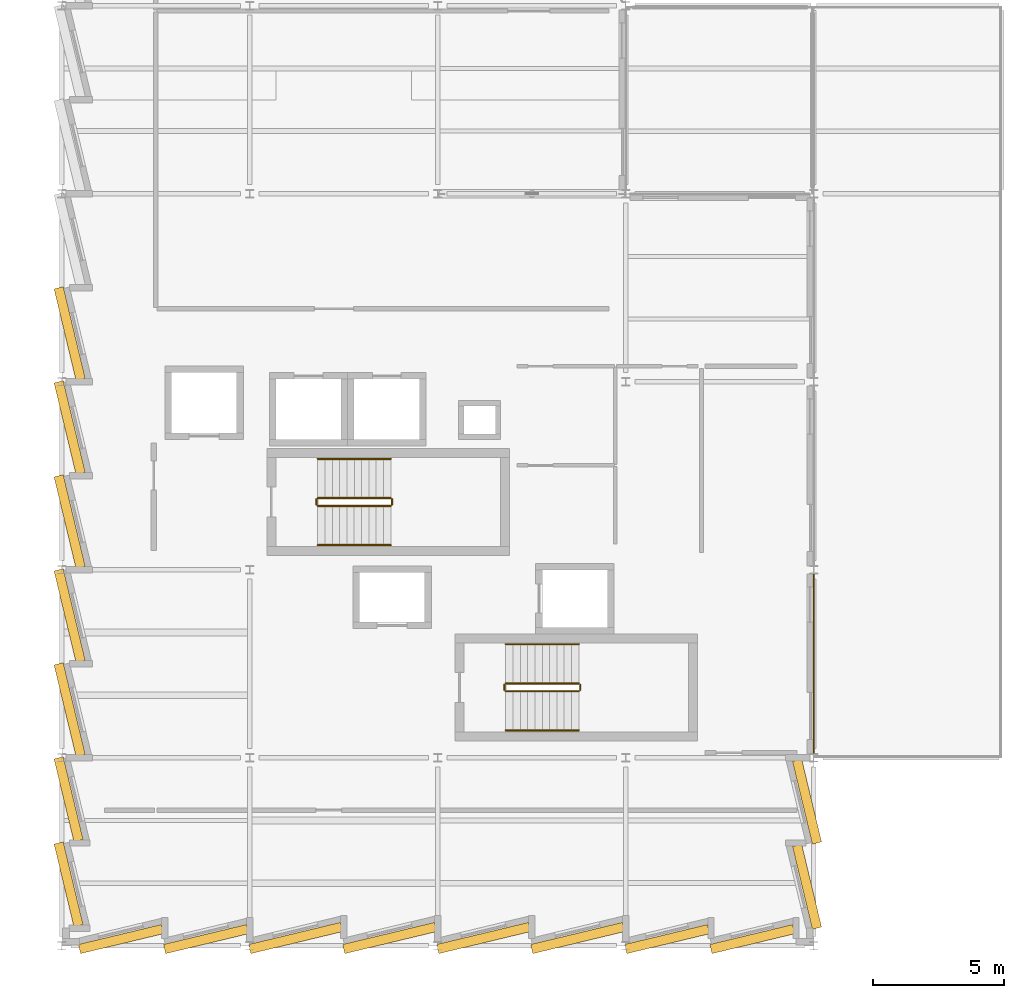
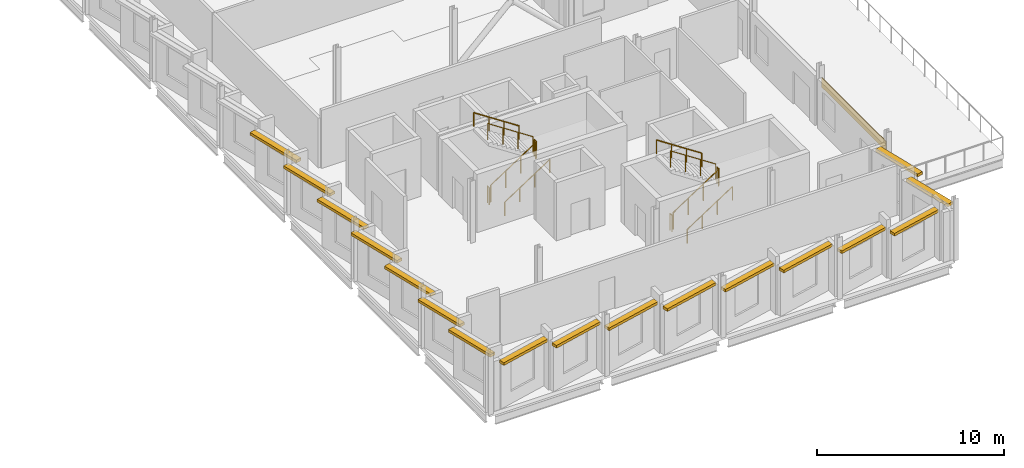
# One storey, part 17 of 18: 17 shading devices, 12 railings, 1 covering.
"""IFC4 building model written with IfcOpenShell, lengths in metres."""

import ifcopenshell
import ifcopenshell.guid

model = None  # the IFC model being written
_history = None  # IfcOwnerHistory: only IFC2X3 demands one
_inside = {}  # id of a spatial element -> (the spatial element, [elements in it])
_under = {}  # id of a project, library or spatial element -> (it, [spatial elements below it])
_declared = {}  # id of a project -> (the project, [libraries it declares])
_typed = {}  # id of a type object -> (the type object, [elements of that type])
_made_of = {}  # id of a material, layer set ... -> (it, [elements and type objects made of it])


def new_model(schema):
    """Start an empty IFC model of exactly this schema.

    Asked for "IFC4X3", IfcOpenShell would pick the latest addendum, in which some entities
    have other attributes; the version numbers below select the first issue.
    IFC2X3 requires an IfcOwnerHistory on every rooted entity: one is made here for all.
    """
    global model, _history
    if schema == "IFC4X3":
        model = ifcopenshell.file(schema_version=(4, 3, 0, 0))
    else:
        model = ifcopenshell.file(schema=schema)
    _inside.clear()
    _under.clear()
    _declared.clear()
    _typed.clear()
    _made_of.clear()
    _history = None
    if model.schema == "IFC2X3":
        org = make("IfcOrganization", Name="unknown")
        user = make(
            "IfcPersonAndOrganization",
            ThePerson=make("IfcPerson", FamilyName="unknown"),
            TheOrganization=org,
        )
        app = make(
            "IfcApplication",
            ApplicationDeveloper=org,
            Version="unknown",
            ApplicationFullName="unknown",
            ApplicationIdentifier="unknown",
        )
        _history = make(
            "IfcOwnerHistory",
            OwningUser=user,
            OwningApplication=app,
            ChangeAction="ADDED",
            CreationDate=0,
        )
    return model


def make(cls, **values):
    """One entity of the class cls with the attributes given. An attribute that is None is left unset."""
    return model.create_entity(
        cls, **{name: value for name, value in values.items() if value is not None}
    )


def rooted(cls, **values):
    """An entity with a GlobalId (a new one), such as an element, a storey or a relation."""
    return make(cls, GlobalId=ifcopenshell.guid.new(), OwnerHistory=_history, **values)


def si_unit(unit_type, name, prefix=None):
    """IfcSIUnit, for example si_unit("LENGTHUNIT", "METRE", prefix="MILLI")."""
    return make("IfcSIUnit", UnitType=unit_type, Prefix=prefix, Name=name)


def assignment(units):
    """IfcUnitAssignment: the units of a project."""
    return None if units is None else make("IfcUnitAssignment", Units=units)


def point(xyz):
    """IfcCartesianPoint."""
    return None if xyz is None else make("IfcCartesianPoint", Coordinates=xyz)


def direction(xyz):
    """IfcDirection."""
    return None if xyz is None else make("IfcDirection", DirectionRatios=xyz)


def frame(location, z_axis=None, x_axis=None):
    """IfcAxis2Placement3D, a coordinate frame: its origin and axes. An axis left out is left unset."""
    return make(
        "IfcAxis2Placement3D",
        Location=point(location),
        Axis=direction(z_axis),
        RefDirection=direction(x_axis),
    )


def frame_2d(location, x_axis=None):
    """IfcAxis2Placement2D, a coordinate frame in the plane: its origin and x axis."""
    return make(
        "IfcAxis2Placement2D", Location=point(location), RefDirection=direction(x_axis)
    )


def origin():
    """The frame at (0, 0, 0) with its axes left unset."""
    return frame((0.0, 0.0, 0.0))


def origin_2d():
    """The frame at (0, 0) in the plane with its x axis left unset."""
    return frame_2d((0.0, 0.0))


def place(relative_to, where):
    """IfcLocalPlacement: puts the frame where relative to a parent placement (None: the world)."""
    return make(
        "IfcLocalPlacement", PlacementRelTo=relative_to, RelativePlacement=where
    )


def context(
    kind, dimensions, precision=None, world=None, true_north=None, identifier=None
):
    """IfcGeometricRepresentationContext, for example the 3D "Model" context."""
    return make(
        "IfcGeometricRepresentationContext",
        ContextIdentifier=identifier,
        ContextType=kind,
        CoordinateSpaceDimension=dimensions,
        Precision=precision,
        WorldCoordinateSystem=world,
        TrueNorth=true_north,
    )


def subcontext(parent, identifier, kind, view, scale=None):
    """IfcGeometricRepresentationSubContext, for example "Body" below "Model"."""
    return make(
        "IfcGeometricRepresentationSubContext",
        ContextIdentifier=identifier,
        ContextType=kind,
        ParentContext=parent,
        TargetScale=scale,
        TargetView=view,
    )


def project(units=None, contexts=None):
    """IfcProject with its units and contexts."""
    return rooted(
        "IfcProject",
        Name="project",
        RepresentationContexts=contexts,
        UnitsInContext=assignment(units),
    )


def spatial(cls, under=None, at=None, **own):
    """A site, building, storey or space (cls), placed at a placement, below another one or the project."""
    s = rooted(cls, ObjectPlacement=at, **own)
    if under is not None:
        _under.setdefault(under.id(), (under, []))[1].append(s)
    return s


def profile(cls, at=None, kind="AREA", **sizes):
    """A parametric profile (cls). Its sizes go by their IFC names, for example OverallWidth=200.0."""
    return make(cls, ProfileType=kind, Position=at, **sizes)


def rectangle(**sizes):
    """IfcRectangleProfileDef."""
    return profile("IfcRectangleProfileDef", **sizes)


def circle(**sizes):
    """IfcCircleProfileDef."""
    return profile("IfcCircleProfileDef", **sizes)


def extrude(swept, where, along, depth):
    """IfcExtrudedAreaSolid: the profile swept, set in the frame where, extruded along a direction by depth."""
    return make(
        "IfcExtrudedAreaSolid",
        SweptArea=swept,
        Position=where,
        ExtrudedDirection=direction(along),
        Depth=depth,
    )


def shape(context_of_items, identifier, shape_type, items):
    """IfcShapeRepresentation: the items that make up one representation, for example the "Body"."""
    return make(
        "IfcShapeRepresentation",
        ContextOfItems=context_of_items,
        RepresentationIdentifier=identifier,
        RepresentationType=shape_type,
        Items=items,
    )


def material(Name=None, Category=None):
    """IfcMaterial."""
    return make("IfcMaterial", Name=Name, Category=Category)


def layer(
    of_material, thickness, ventilated=None, Name=None, Category=None, Priority=None
):
    """IfcMaterialLayer: one layer of a wall or slab, of a material (None: an air gap)."""
    return make(
        "IfcMaterialLayer",
        Material=of_material,
        LayerThickness=thickness,
        IsVentilated=ventilated,
        Name=Name,
        Category=Category,
        Priority=Priority,
    )


def layer_set(layers, Name=None):
    """IfcMaterialLayerSet."""
    return make("IfcMaterialLayerSet", MaterialLayers=layers, LayerSetName=Name)


def made_of(thing, what):
    """Note that an element or type object is made of a material, layer set ...; save() writes the relation."""
    if what is not None:
        _made_of.setdefault(what.id(), (what, []))[1].append(thing)
    return thing


def type_object(cls, material=None, **own):
    """A type object (cls), such as IfcWallType, which elements share."""
    return made_of(rooted(cls, **own), material)


def element(
    cls,
    number,
    at=None,
    inside=None,
    cuts=None,
    type_object=None,
    material=None,
    context=None,
    identifier="Body",
    shape_type=None,
    held_by="IfcProductDefinitionShape",
    body=None,
    shapes=None,
    **own,
):
    """One element of the class cls, such as IfcWall. Its Tag is "e" and its number.

    at: its placement. inside: the storey or other place that contains it. cuts: it is an
    opening in that element (IfcRelVoidsElement). A single representation is given by context,
    identifier, shape_type and body (its items); several are given by shapes. held_by: the class
    of the entity that holds the representations. save() writes the other relations.
    """
    e = rooted(cls, Tag="e%d" % number, ObjectPlacement=at, **own)
    if body is not None:
        shapes = [shape(context, identifier, shape_type, body)]
    if shapes is not None:
        e.Representation = make(held_by, Representations=shapes)
    if inside is not None:
        _inside.setdefault(inside.id(), (inside, []))[1].append(e)
    if cuts is not None:
        rooted(
            "IfcRelVoidsElement", RelatingBuildingElement=cuts, RelatedOpeningElement=e
        )
    if type_object is not None:
        _typed.setdefault(type_object.id(), (type_object, []))[1].append(e)
    return made_of(e, material)


def aggregate(whole, parts):
    """IfcRelAggregates: a whole, such as a stair, and the parts it consists of."""
    return rooted("IfcRelAggregates", RelatingObject=whole, RelatedObjects=parts)


def save(model, path):
    """Write the relations noted so far, then the file.

    IfcRelAggregates (storeys below a building ...), IfcRelContainedInSpatialStructure (elements
    in a storey), IfcRelDefinesByType, IfcRelAssociatesMaterial and IfcRelDeclares: one each for
    every whole, place, type object, material and project.
    """
    for whole, parts in _under.values():
        aggregate(whole, parts)
    for where, things in _inside.values():
        rooted(
            "IfcRelContainedInSpatialStructure",
            RelatedElements=things,
            RelatingStructure=where,
        )
    for kind, things in _typed.values():
        rooted("IfcRelDefinesByType", RelatedObjects=things, RelatingType=kind)
    for what, things in _made_of.values():
        rooted("IfcRelAssociatesMaterial", RelatedObjects=things, RelatingMaterial=what)
    for by, libraries in _declared.values():
        rooted("IfcRelDeclares", RelatingContext=by, RelatedDefinitions=libraries)
    model.write(path)


model = new_model("IFC4")

# Units and contexts
model_context = context("Model", 3, precision=1e-05, world=origin(), true_north=direction((0.0, 1.0)))
body_context = subcontext(model_context, "Body", "Model", "MODEL_VIEW")
ifc_project = project(units=[si_unit("LENGTHUNIT", "METRE"), si_unit("AREAUNIT", "SQUARE_METRE"), si_unit("VOLUMEUNIT", "CUBIC_METRE"), si_unit("PLANEANGLEUNIT", "RADIAN"), si_unit("MASSUNIT", "GRAM", prefix="KILO")], contexts=[model_context])

# Site, building, storey
site_placement = place(None, origin())
site = spatial("IfcSite", under=ifc_project, at=site_placement, CompositionType="ELEMENT")
building_placement = place(site_placement, origin())
building = spatial("IfcBuilding", under=site, at=building_placement, Name="Kalmorath City Hall", CompositionType="ELEMENT")
storey_placement = place(building_placement, frame((0.0, 0.0, 27.0)))
storey = spatial("IfcBuildingStorey", under=building, at=storey_placement, Name="L06", CompositionType="ELEMENT", Elevation=27.0)

# Covering
ifc_material_1 = material(Name="Hardwood timber cladding", Category="wood")
ifc_layer_1 = layer(ifc_material_1, 0.044921875)
ifc_layer_set_1 = layer_set([ifc_layer_1], Name="Hardwood timber cladding")
covering_type = type_object("IfcCoveringType", Name="Hardwood recessed loggia wall cladding", PredefinedType="CLADDING", material=ifc_layer_set_1)
covering_placement = place(storey_placement, frame((28.794921875, 10.800048828125, 2.635986328125), z_axis=(0.0, 0.0, 1.0), x_axis=(0.0, 1.0, 0.0)))
element("IfcCovering", 1, at=covering_placement, inside=storey, type_object=covering_type, Name="L06 timber loggia lining #91", PredefinedType="CLADDING", context=body_context, shape_type="SweptSolid", body=[
    extrude(rectangle(XDim=6.889892578125, YDim=0.044921875, at=origin_2d()), origin(), (0.0, 0.0, 1.0), 0.60009765625),
])

# Shading devices
ifc_material_2 = material(Name="Precast concrete C40/50", Category="concrete")
ifc_layer_2 = layer(ifc_material_2, 0.179931640625)
ifc_layer_set_2 = layer_set([ifc_layer_2], Name="Precast concrete C40/50")
shading_device_type = type_object("IfcShadingDeviceType", Name="Precast sawtooth brow sunshade 350", PredefinedType="USERDEFINED", material=ifc_layer_set_2)
for number, where, z_axis, x_axis, name in (
    (2, (2.263916015625, 0.26025390625, 3.0458984375), (0.0, 0.0, 1.0), (0.972365845859, 0.233462334877, 0.0), "L06 precast sawtooth hood #473"),
    (3, (5.523681640625, 0.26025390625, 3.0361328125), (0.0, 0.0, 1.0), (0.972365845859, 0.233462334877, 0.0), "L06 precast sawtooth hood #474"),
):
    element("IfcShadingDevice", number, at=place(storey_placement, frame(where, z_axis=z_axis, x_axis=x_axis)), inside=storey, type_object=shading_device_type, Name=name, ObjectType="SUNSHADE", PredefinedType="USERDEFINED", context=body_context, shape_type="SweptSolid", body=[
        extrude(rectangle(XDim=3.257568359375, YDim=0.360107421875, at=origin_2d()), origin(), (0.0, 0.0, 1.0), 0.179931640625),
    ])
for number, where, z_axis, x_axis, name in (
    (4, (8.953857421875, 0.301025390625, 3.0361328125), (0.0, 0.0, 1.0), (0.972369920398, 0.233445363856, 0.0), "L06 precast sawtooth hood #475"),
    (5, (12.5537109375, 0.301025390625, 3.0361328125), (0.0, 0.0, 1.0), (0.972369920398, 0.233445363856, 0.0), "L06 precast sawtooth hood #476"),
    (6, (16.15380859375, 0.301025390625, 3.0361328125), (0.0, 0.0, 1.0), (0.972369920398, 0.233445363856, 0.0), "L06 precast sawtooth hood #477"),
    (7, (19.75390625, 0.301025390625, 3.0361328125), (0.0, 0.0, 1.0), (0.972369920398, 0.233445363856, 0.0), "L06 precast sawtooth hood #478"),
):
    element("IfcShadingDevice", number, at=place(storey_placement, frame(where, z_axis=z_axis, x_axis=x_axis)), inside=storey, type_object=shading_device_type, Name=name, ObjectType="SUNSHADE", PredefinedType="USERDEFINED", context=body_context, shape_type="SweptSolid", body=[
        extrude(rectangle(XDim=3.607421875, YDim=0.360107421875, at=origin_2d()), origin(), (0.0, 0.0, 1.0), 0.179931640625),
    ])
for number, where, z_axis, x_axis, name in (
    (8, (23.183837890625, 0.26025390625, 3.0361328125), (0.0, 0.0, 1.0), (0.972365845859, 0.233462334877, 0.0), "L06 precast sawtooth hood #479"),
    (9, (26.44384765625, 0.26025390625, 3.0458984375), (0.0, 0.0, 1.0), (0.972365845859, 0.233462334877, 0.0), "L06 precast sawtooth hood #480"),
    (10, (28.539794921875, 2.263916015625, 3.0458984375), (0.0, 0.0, 1.0), (-0.233462334877, 0.972365845859, 0.0), "L06 precast sawtooth hood #481"),
    (11, (28.539794921875, 5.523681640625, 3.0361328125), (0.0, 0.0, 1.0), (-0.233462334877, 0.972365845859, 0.0), "L06 precast sawtooth hood #482"),
):
    element("IfcShadingDevice", number, at=place(storey_placement, frame(where, z_axis=z_axis, x_axis=x_axis)), inside=storey, type_object=shading_device_type, Name=name, ObjectType="SUNSHADE", PredefinedType="USERDEFINED", context=body_context, shape_type="SweptSolid", body=[
        extrude(rectangle(XDim=3.257568359375, YDim=0.360107421875, at=origin_2d()), origin(), (0.0, 0.0, 1.0), 0.179931640625),
    ])
for number, where, z_axis, x_axis, name in (
    (12, (0.301025390625, 23.4462890625, 3.0458984375), (0.0, 0.0, 1.0), (0.233445363856, -0.972369920398, 0.0), "L06 precast sawtooth hood #504"),
    (13, (0.301025390625, 19.84619140625, 3.0458984375), (0.0, 0.0, 1.0), (0.233445363856, -0.972369920398, 0.0), "L06 precast sawtooth hood #505"),
    (14, (0.301025390625, 16.24609375, 3.0361328125), (0.0, 0.0, 1.0), (0.233445363856, -0.972369920398, 0.0), "L06 precast sawtooth hood #506"),
    (15, (0.301025390625, 12.646240234375, 3.0361328125), (0.0, 0.0, 1.0), (0.233445363856, -0.972369920398, 0.0), "L06 precast sawtooth hood #507"),
    (16, (0.301025390625, 9.046142578125, 3.0361328125), (0.0, 0.0, 1.0), (0.233445363856, -0.972369920398, 0.0), "L06 precast sawtooth hood #508"),
):
    element("IfcShadingDevice", number, at=place(storey_placement, frame(where, z_axis=z_axis, x_axis=x_axis)), inside=storey, type_object=shading_device_type, Name=name, ObjectType="SUNSHADE", PredefinedType="USERDEFINED", context=body_context, shape_type="SweptSolid", body=[
        extrude(rectangle(XDim=3.607421875, YDim=0.360107421875, at=origin_2d()), origin(), (0.0, 0.0, 1.0), 0.179931640625),
    ])
for number, where, z_axis, x_axis, name in (
    (17, (0.26025390625, 5.6162109375, 3.0361328125), (0.0, 0.0, 1.0), (0.233462334877, -0.972365845859, 0.0), "L06 precast sawtooth hood #509"),
    (18, (0.26025390625, 2.356201171875, 3.0458984375), (0.0, 0.0, 1.0), (0.233462334877, -0.972365845859, 0.0), "L06 precast sawtooth hood #510"),
):
    element("IfcShadingDevice", number, at=place(storey_placement, frame(where, z_axis=z_axis, x_axis=x_axis)), inside=storey, type_object=shading_device_type, Name=name, ObjectType="SUNSHADE", PredefinedType="USERDEFINED", context=body_context, shape_type="SweptSolid", body=[
        extrude(rectangle(XDim=3.257568359375, YDim=0.360107421875, at=origin_2d()), origin(), (0.0, 0.0, 1.0), 0.179931640625),
    ])

# Railings
ifc_material_3 = material(Name="Painted steel guardrail", Category="steel")
railing_type_1 = type_object("IfcRailingType", Name="Protected stair guardrail 1100", PredefinedType="GUARDRAIL", material=ifc_material_3)
railing_1_placement = place(storey_placement, frame((9.800048828125, 16.85009765625, 0.18408203125)))
element("IfcRailing", 19, at=railing_1_placement, inside=storey, type_object=railing_type_1, Name="L06 ST-1 stair guard 1", PredefinedType="GUARDRAIL", context=body_context, shape_type="SweptSolid", body=[
    extrude(circle(Radius=0.02392578125, at=origin_2d()), frame((0.0, 0.0, 1.076171875), z_axis=(0.835597507184, 0.0, 0.549342157483), x_axis=(0.0, 1.0, 0.0)), (0.0, 0.0, 1.0), 3.35107421875),
    extrude(circle(Radius=0.02099609375, at=origin_2d()), origin(), (0.0, 0.0, 1.0), 1.052001953125),
    extrude(circle(Radius=0.02099609375, at=origin_2d()), frame((0.933349609375, 0.0, 0.613525390625)), (0.0, 0.0, 1.0), 1.052001953125),
    extrude(circle(Radius=0.02099609375, at=origin_2d()), frame((1.86669921875, 0.0, 1.227294921875)), (0.0, 0.0, 1.0), 1.052001953125),
    extrude(circle(Radius=0.02099609375, at=origin_2d()), frame((2.800048828125, 0.0, 1.8408203125)), (0.0, 0.0, 1.0), 1.052001953125),
])
railing_2_placement = place(storey_placement, frame((12.64990234375, 16.89990234375, 2.02490234375)))
element("IfcRailing", 20, at=railing_2_placement, inside=storey, type_object=railing_type_1, Name="L06 ST-1 stair guard 2", PredefinedType="GUARDRAIL", context=body_context, shape_type="SweptSolid", body=[
    extrude(circle(Radius=0.02392578125, at=origin_2d()), frame((0.0, 0.0, 1.076171875), z_axis=(0.0, 1.0, 0.0), x_axis=(-1.0, 0.0, 0.0)), (0.0, 0.0, 1.0), 0.2001953125),
    extrude(circle(Radius=0.02099609375, at=origin_2d()), origin(), (0.0, 0.0, 1.0), 1.052001953125),
    extrude(circle(Radius=0.02099609375, at=origin_2d()), frame((0.0, 0.2001953125, 0.0)), (0.0, 0.0, 1.0), 1.052001953125),
])
railing_3_placement = place(storey_placement, frame((12.60009765625, 17.14990234375, 2.208984375)))
element("IfcRailing", 21, at=railing_3_placement, inside=storey, type_object=railing_type_1, Name="L06 ST-1 stair guard 3", PredefinedType="GUARDRAIL", context=body_context, shape_type="SweptSolid", body=[
    extrude(circle(Radius=0.02392578125, at=origin_2d()), frame((0.0, 0.0, 1.076171875), z_axis=(-0.83556406348, 0.0, 0.549393024911), x_axis=(0.0, -1.0, 0.0)), (0.0, 0.0, 1.0), 3.35107421875),
    extrude(circle(Radius=0.02099609375, at=origin_2d()), origin(), (0.0, 0.0, 1.0), 1.052001953125),
    extrude(circle(Radius=0.02099609375, at=origin_2d()), frame((-0.933349609375, 0.0, 0.61376953125)), (0.0, 0.0, 1.0), 1.052001953125),
    extrude(circle(Radius=0.02099609375, at=origin_2d()), frame((-1.86669921875, 0.0, 1.227294921875)), (0.0, 0.0, 1.0), 1.052001953125),
    extrude(circle(Radius=0.02099609375, at=origin_2d()), frame((-2.800048828125, 0.0, 1.841064453125)), (0.0, 0.0, 1.0), 1.052001953125),
])
railing_4_placement = place(storey_placement, frame((9.75, 16.89990234375, 0.0)))
element("IfcRailing", 22, at=railing_4_placement, inside=storey, type_object=railing_type_1, Name="L06 ST-1 stair guard 4", PredefinedType="GUARDRAIL", context=body_context, shape_type="SweptSolid", body=[
    extrude(circle(Radius=0.02392578125, at=origin_2d()), frame((0.0, 0.0, 1.076171875), z_axis=(0.0, 1.0, 0.0), x_axis=(-1.0, 0.0, 0.0)), (0.0, 0.0, 1.0), 0.2001953125),
    extrude(circle(Radius=0.02099609375, at=origin_2d()), origin(), (0.0, 0.0, 1.0), 1.052001953125),
    extrude(circle(Radius=0.02099609375, at=origin_2d()), frame((0.0, 0.2001953125, 0.0)), (0.0, 0.0, 1.0), 1.052001953125),
])
railing_5_placement = place(storey_placement, frame((17.0, 9.75, 0.18408203125)))
element("IfcRailing", 23, at=railing_5_placement, inside=storey, type_object=railing_type_1, Name="L06 ST-2 stair guard 1", PredefinedType="GUARDRAIL", context=body_context, shape_type="SweptSolid", body=[
    extrude(circle(Radius=0.02392578125, at=origin_2d()), frame((0.0, 0.0, 1.076171875), z_axis=(0.835597507184, 0.0, 0.549342157483), x_axis=(0.0, 1.0, 0.0)), (0.0, 0.0, 1.0), 3.35107421875),
    extrude(circle(Radius=0.02099609375, at=origin_2d()), origin(), (0.0, 0.0, 1.0), 1.052001953125),
    extrude(circle(Radius=0.02099609375, at=origin_2d()), frame((0.933349609375, 0.0, 0.613525390625)), (0.0, 0.0, 1.0), 1.052001953125),
    extrude(circle(Radius=0.02099609375, at=origin_2d()), frame((1.86669921875, 0.0, 1.227294921875)), (0.0, 0.0, 1.0), 1.052001953125),
    extrude(circle(Radius=0.02099609375, at=origin_2d()), frame((2.800048828125, 0.0, 1.8408203125)), (0.0, 0.0, 1.0), 1.052001953125),
])
railing_6_placement = place(storey_placement, frame((19.85009765625, 9.800048828125, 2.02490234375)))
element("IfcRailing", 24, at=railing_6_placement, inside=storey, type_object=railing_type_1, Name="L06 ST-2 stair guard 2", PredefinedType="GUARDRAIL", context=body_context, shape_type="SweptSolid", body=[
    extrude(circle(Radius=0.02392578125, at=origin_2d()), frame((0.0, 0.0, 1.076171875), z_axis=(0.0, 1.0, 0.0), x_axis=(-1.0, 0.0, 0.0)), (0.0, 0.0, 1.0), 0.199951171875),
    extrude(circle(Radius=0.02099609375, at=origin_2d()), origin(), (0.0, 0.0, 1.0), 1.052001953125),
    extrude(circle(Radius=0.02099609375, at=origin_2d()), frame((0.0, 0.199951171875, 0.0)), (0.0, 0.0, 1.0), 1.052001953125),
])
railing_7_placement = place(storey_placement, frame((19.800048828125, 10.050048828125, 2.208984375)))
element("IfcRailing", 25, at=railing_7_placement, inside=storey, type_object=railing_type_1, Name="L06 ST-2 stair guard 3", PredefinedType="GUARDRAIL", context=body_context, shape_type="SweptSolid", body=[
    extrude(circle(Radius=0.02392578125, at=origin_2d()), frame((0.0, 0.0, 1.076171875), z_axis=(-0.83556406348, 0.0, 0.549393024911), x_axis=(0.0, -1.0, 0.0)), (0.0, 0.0, 1.0), 3.35107421875),
    extrude(circle(Radius=0.02099609375, at=origin_2d()), origin(), (0.0, 0.0, 1.0), 1.052001953125),
    extrude(circle(Radius=0.02099609375, at=origin_2d()), frame((-0.933349609375, 0.0, 0.61376953125)), (0.0, 0.0, 1.0), 1.052001953125),
    extrude(circle(Radius=0.02099609375, at=origin_2d()), frame((-1.86669921875, 0.0, 1.227294921875)), (0.0, 0.0, 1.0), 1.052001953125),
    extrude(circle(Radius=0.02099609375, at=origin_2d()), frame((-2.800048828125, 0.0, 1.841064453125)), (0.0, 0.0, 1.0), 1.052001953125),
])
railing_8_placement = place(storey_placement, frame((16.949951171875, 9.800048828125, 0.0)))
element("IfcRailing", 26, at=railing_8_placement, inside=storey, type_object=railing_type_1, Name="L06 ST-2 stair guard 4", PredefinedType="GUARDRAIL", context=body_context, shape_type="SweptSolid", body=[
    extrude(circle(Radius=0.02392578125, at=origin_2d()), frame((0.0, 0.0, 1.076171875), z_axis=(0.0, 1.0, 0.0), x_axis=(-1.0, 0.0, 0.0)), (0.0, 0.0, 1.0), 0.199951171875),
    extrude(circle(Radius=0.02099609375, at=origin_2d()), origin(), (0.0, 0.0, 1.0), 1.052001953125),
    extrude(circle(Radius=0.02099609375, at=origin_2d()), frame((0.0, 0.199951171875, 0.0)), (0.0, 0.0, 1.0), 1.052001953125),
])
ifc_material_4 = material(Name="Brushed stainless steel handrail", Category="steel")
railing_type_2 = type_object("IfcRailingType", Name="Stair pitch handrail 900", PredefinedType="HANDRAIL", material=ifc_material_4)
railing_9_placement = place(storey_placement, frame((9.800048828125, 15.35009765625, 0.18408203125)))
element("IfcRailing", 27, at=railing_9_placement, inside=storey, type_object=railing_type_2, Name="L06 ST-1 stair handrail 1", PredefinedType="HANDRAIL", context=body_context, shape_type="SweptSolid", body=[
    extrude(circle(Radius=0.02392578125, at=origin_2d()), frame((0.0, 0.0, 0.8759765625), z_axis=(0.835597507184, 0.0, 0.549342157483), x_axis=(0.0, 1.0, 0.0)), (0.0, 0.0, 1.0), 3.35107421875),
    extrude(circle(Radius=0.02099609375, at=origin_2d()), origin(), (0.0, 0.0, 1.0), 0.851806640625),
    extrude(circle(Radius=0.02099609375, at=origin_2d()), frame((0.933349609375, 0.0, 0.613525390625)), (0.0, 0.0, 1.0), 0.851806640625),
    extrude(circle(Radius=0.02099609375, at=origin_2d()), frame((1.86669921875, 0.0, 1.227294921875)), (0.0, 0.0, 1.0), 0.851806640625),
    extrude(circle(Radius=0.02099609375, at=origin_2d()), frame((2.800048828125, 0.0, 1.8408203125)), (0.0, 0.0, 1.0), 0.851806640625),
])
railing_10_placement = place(storey_placement, frame((12.60009765625, 18.64990234375, 2.208984375)))
element("IfcRailing", 28, at=railing_10_placement, inside=storey, type_object=railing_type_2, Name="L06 ST-1 stair handrail 2", PredefinedType="HANDRAIL", context=body_context, shape_type="SweptSolid", body=[
    extrude(circle(Radius=0.02392578125, at=origin_2d()), frame((0.0, 0.0, 0.8759765625), z_axis=(-0.83556406348, 0.0, 0.549393024911), x_axis=(0.0, -1.0, 0.0)), (0.0, 0.0, 1.0), 3.35107421875),
    extrude(circle(Radius=0.02099609375, at=origin_2d()), origin(), (0.0, 0.0, 1.0), 0.851806640625),
    extrude(circle(Radius=0.02099609375, at=origin_2d()), frame((-0.933349609375, 0.0, 0.61376953125)), (0.0, 0.0, 1.0), 0.851806640625),
    extrude(circle(Radius=0.02099609375, at=origin_2d()), frame((-1.86669921875, 0.0, 1.227294921875)), (0.0, 0.0, 1.0), 0.851806640625),
    extrude(circle(Radius=0.02099609375, at=origin_2d()), frame((-2.800048828125, 0.0, 1.841064453125)), (0.0, 0.0, 1.0), 0.851806640625),
])
railing_11_placement = place(storey_placement, frame((17.0, 8.25, 0.18408203125)))
element("IfcRailing", 29, at=railing_11_placement, inside=storey, type_object=railing_type_2, Name="L06 ST-2 stair handrail 1", PredefinedType="HANDRAIL", context=body_context, shape_type="SweptSolid", body=[
    extrude(circle(Radius=0.02392578125, at=origin_2d()), frame((0.0, 0.0, 0.8759765625), z_axis=(0.835597507184, 0.0, 0.549342157483), x_axis=(0.0, 1.0, 0.0)), (0.0, 0.0, 1.0), 3.35107421875),
    extrude(circle(Radius=0.02099609375, at=origin_2d()), origin(), (0.0, 0.0, 1.0), 0.851806640625),
    extrude(circle(Radius=0.02099609375, at=origin_2d()), frame((0.933349609375, 0.0, 0.613525390625)), (0.0, 0.0, 1.0), 0.851806640625),
    extrude(circle(Radius=0.02099609375, at=origin_2d()), frame((1.86669921875, 0.0, 1.227294921875)), (0.0, 0.0, 1.0), 0.851806640625),
    extrude(circle(Radius=0.02099609375, at=origin_2d()), frame((2.800048828125, 0.0, 1.8408203125)), (0.0, 0.0, 1.0), 0.851806640625),
])
railing_12_placement = place(storey_placement, frame((19.800048828125, 11.550048828125, 2.208984375)))
element("IfcRailing", 30, at=railing_12_placement, inside=storey, type_object=railing_type_2, Name="L06 ST-2 stair handrail 2", PredefinedType="HANDRAIL", context=body_context, shape_type="SweptSolid", body=[
    extrude(circle(Radius=0.02392578125, at=origin_2d()), frame((0.0, 0.0, 0.8759765625), z_axis=(-0.83556406348, 0.0, 0.549393024911), x_axis=(0.0, -1.0, 0.0)), (0.0, 0.0, 1.0), 3.35107421875),
    extrude(circle(Radius=0.02099609375, at=origin_2d()), origin(), (0.0, 0.0, 1.0), 0.851806640625),
    extrude(circle(Radius=0.02099609375, at=origin_2d()), frame((-0.933349609375, 0.0, 0.61376953125)), (0.0, 0.0, 1.0), 0.851806640625),
    extrude(circle(Radius=0.02099609375, at=origin_2d()), frame((-1.86669921875, 0.0, 1.227294921875)), (0.0, 0.0, 1.0), 0.851806640625),
    extrude(circle(Radius=0.02099609375, at=origin_2d()), frame((-2.800048828125, 0.0, 1.841064453125)), (0.0, 0.0, 1.0), 0.851806640625),
])

save(model, "model.ifc")
